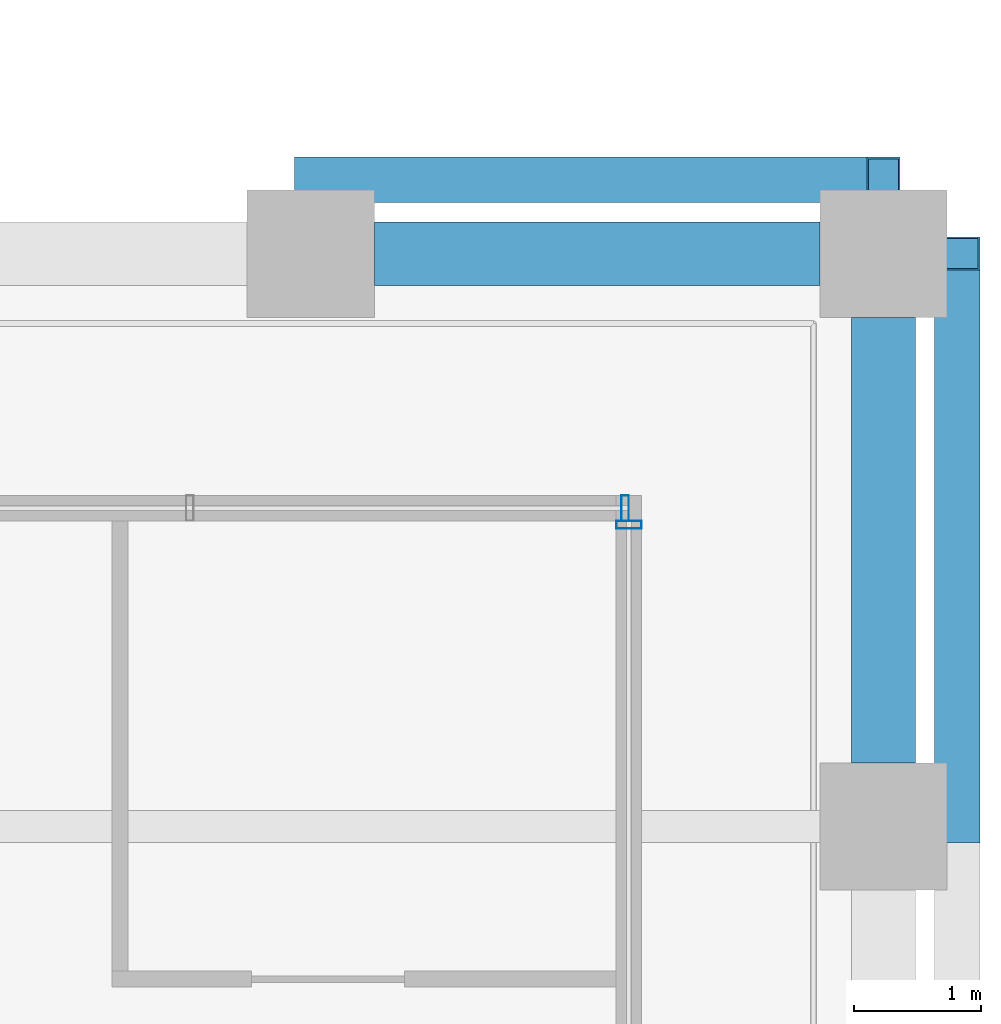
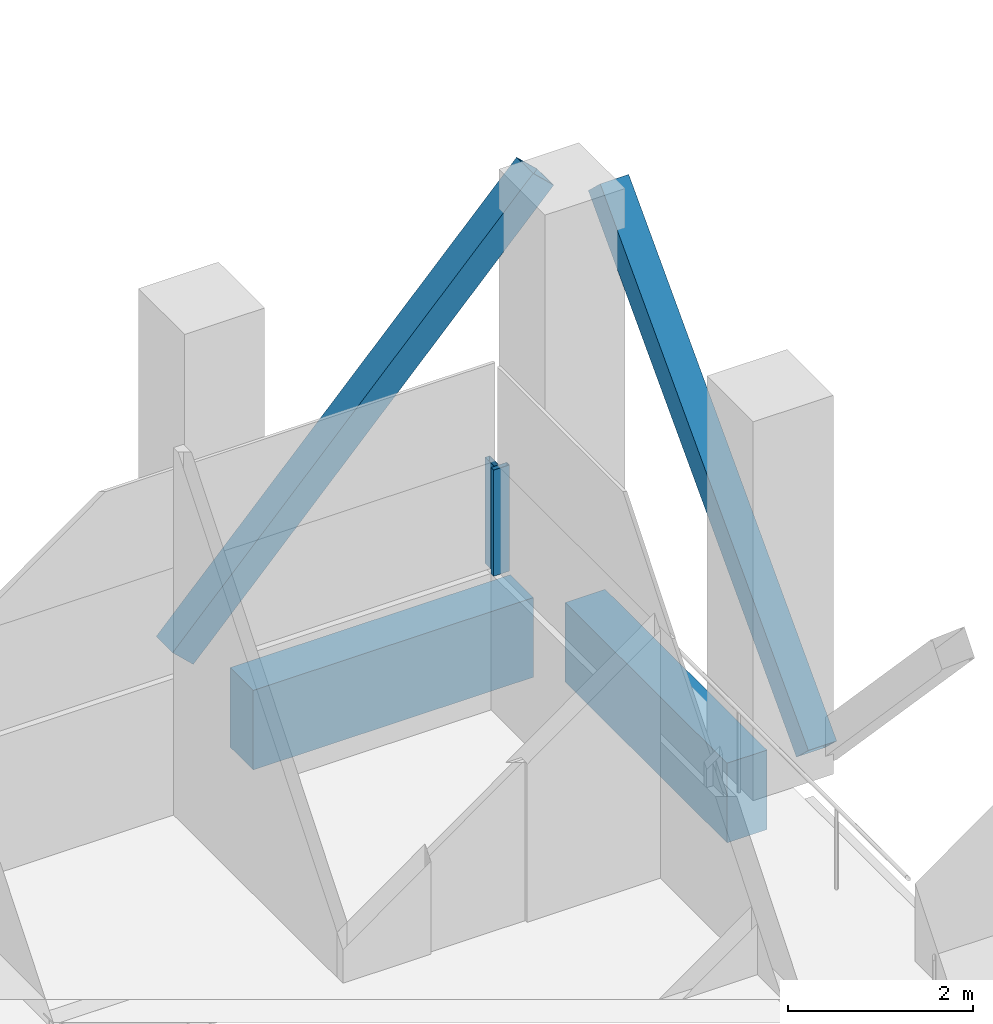
# One storey, part 29 of 48: 4 members, 2 beams, 2 elements without a shape of their own.
"""IFC4 building model written with IfcOpenShell, lengths in metres."""

from ifc_helpers import new_model, si_unit, direction, frame, origin, origin_2d, place, context, subcontext, project, spatial, rectangle, hollow_rectangle, extrude, material, material_profile, profile_set, type_object, element, aggregate, save


model = new_model("IFC4")

# Units and contexts
model_context = context("Model", 3, precision=1e-05, world=origin(), true_north=direction((0.0, 1.0)))
body_context = subcontext(model_context, "Body", "Model", "MODEL_VIEW")
ifc_project = project(units=[si_unit("LENGTHUNIT", "METRE"), si_unit("AREAUNIT", "SQUARE_METRE"), si_unit("VOLUMEUNIT", "CUBIC_METRE"), si_unit("PLANEANGLEUNIT", "RADIAN"), si_unit("MASSUNIT", "GRAM", prefix="KILO")], contexts=[model_context])

# Site, building, storey
site_placement = place(None, origin())
site = spatial("IfcSite", under=ifc_project, at=site_placement, CompositionType="ELEMENT")
building_placement = place(site_placement, origin())
building = spatial("IfcBuilding", under=site, at=building_placement, Name="Altepetl Exchange Towers", CompositionType="ELEMENT")
storey_placement = place(building_placement, frame((0.0, 0.0, 138.800048828125)))
storey = spatial("IfcBuildingStorey", under=building, at=storey_placement, Name="L34 Refuge and sky lobby", CompositionType="ELEMENT", Elevation=138.800048828125)

# Members
ifc_material_1 = material(Name="Steel S355", Category="steel")
ifc_material_profile_1 = material_profile(ifc_material_1, hollow_rectangle(XDim=0.35595703125, YDim=0.35595703125, WallThickness=0.014892578125, at=origin_2d()), Name="HSS356X356X15.9")
ifc_profile_set_1 = profile_set([ifc_material_profile_1], Name="Steel S355")
member_type_1 = type_object("IfcMemberType", Name="Belt diagonal HSS356X356X15.9", PredefinedType="BRACE", material=ifc_profile_set_1)
for number, where, z_axis, x_axis, name in (
    (1, (126.580078125, 45.0, 0.0), (0.0, 0.687744647911, 0.725952683906), (-1.0, 0.0, 0.0), "brc:B:L34:008"),
    (2, (126.0, 50.080078125, 4.75), (-0.687744647911, 0.0, -0.725952683906), (0.0, -1.0, 0.0), "brc:B:L34:009"),
):
    element("IfcMember", number, at=place(storey_placement, frame(where, z_axis=z_axis, x_axis=x_axis)), inside=storey, type_object=member_type_1, Name=name, PredefinedType="BRACE", context=body_context, shape_type="SweptSolid", body=[
        extrude(hollow_rectangle(XDim=0.35595703125, YDim=0.35595703125, WallThickness=0.014892578125, at=origin_2d()), origin(), (0.0, 0.0, 1.0), 6.543212890625),
    ])

# Curtain wall, member
ifc_material_2 = material(Name="Aluminium 6063-T6 glazing", Category="aluminium")
curtain_wall_type = type_object("IfcCurtainWallType", Name="Refuge slit glazing system", PredefinedType="NOTDEFINED", material=ifc_material_2)
curtain_wall_1_placement = place(storey_placement, origin())
curtain_wall_1 = element("IfcCurtainWall", 3, at=curtain_wall_1_placement, inside=storey, type_object=curtain_wall_type, Name="CW3 run", PredefinedType="NOTDEFINED")
ifc_material_3 = material(Name="Aluminium 6063-T6", Category="aluminium")
ifc_material_profile_2 = material_profile(ifc_material_3, hollow_rectangle(XDim=0.06005859375, YDim=0.199951171875, WallThickness=0.0029296875, at=origin_2d()), Name="Mullion 60x200 aluminium")
ifc_profile_set_2 = profile_set([ifc_material_profile_2], Name="Aluminium 6063-T6")
member_type_2 = type_object("IfcMemberType", Name="Mullion 60x200 aluminium", PredefinedType="MULLION", material=ifc_profile_set_2)
member_1_placement = place(storey_placement, frame((124.0, 47.3701171875, 1.800048828125), z_axis=(0.0, 0.0, 1.0), x_axis=(0.0, 1.0, 0.0)))
member_1 = element("IfcMember", 4, at=member_1_placement, type_object=member_type_2, Name="MU2 mullion", PredefinedType="MULLION", context=body_context, shape_type="SweptSolid", body=[
    extrude(hollow_rectangle(XDim=0.06005859375, YDim=0.199951171875, WallThickness=0.0029296875, at=origin_2d()), origin(), (0.0, 0.0, 1.0), 1.39990234375),
])
aggregate(curtain_wall_1, [member_1])

curtain_wall_2_placement = place(storey_placement, origin())
curtain_wall_2 = element("IfcCurtainWall", 5, at=curtain_wall_2_placement, inside=storey, type_object=curtain_wall_type, Name="CW3 run", PredefinedType="NOTDEFINED")
member_2_placement = place(storey_placement, frame((123.969970703125, 47.5, 1.800048828125), z_axis=(0.0, 0.0, 1.0), x_axis=(-1.0, 0.0, 0.0)))
member_2 = element("IfcMember", 6, at=member_2_placement, type_object=member_type_2, Name="MU2 mullion", PredefinedType="MULLION", context=body_context, shape_type="SweptSolid", body=[
    extrude(hollow_rectangle(XDim=0.06005859375, YDim=0.199951171875, WallThickness=0.0029296875, at=origin_2d()), origin(), (0.0, 0.0, 1.0), 1.39990234375),
])
aggregate(curtain_wall_2, [member_2])

# Beams
ifc_material_4 = material(Name="Concrete C50/60 precast with cantera amarilla facing", Category="concrete")
ifc_material_profile_3 = material_profile(ifc_material_4, rectangle(XDim=0.5, YDim=1.050048828125, at=origin_2d()), Name="500 x 1050")
ifc_profile_set_3 = profile_set([ifc_material_profile_3], Name="Concrete C50/60 precast with cantera amarilla facing")
beam_type_1 = type_object("IfcBeamType", Name="Spandrel beam 500x1050 cantera amarilla", PredefinedType="SPANDREL", material=ifc_profile_set_3)
beam_1_placement = place(storey_placement, frame((125.5, 49.5, -0.72509765625), z_axis=(-1.0, 0.0, 0.0), x_axis=(0.0, -1.0, 0.0)))
element("IfcBeam", 7, at=beam_1_placement, inside=storey, type_object=beam_type_1, Name="sp:B:L34:013", PredefinedType="SPANDREL", context=body_context, shape_type="SweptSolid", body=[
    extrude(rectangle(XDim=0.5, YDim=1.050048828125, at=origin_2d()), origin(), (0.0, 0.0, 1.0), 3.5),
])
ifc_material_5 = material(Name="Concrete C50/60 precast with cantera blanca facing", Category="concrete")
ifc_material_profile_4 = material_profile(ifc_material_5, rectangle(XDim=0.5, YDim=1.050048828125, at=origin_2d()), Name="500 x 1050")
ifc_profile_set_4 = profile_set([ifc_material_profile_4], Name="Concrete C50/60 precast with cantera blanca facing")
beam_type_2 = type_object("IfcBeamType", Name="Spandrel beam 500x1050 cantera blanca", PredefinedType="SPANDREL", material=ifc_profile_set_4)
beam_2_placement = place(storey_placement, frame((126.0, 45.5, -0.72509765625), z_axis=(0.0, 1.0, 0.0), x_axis=(-1.0, 0.0, 0.0)))
element("IfcBeam", 8, at=beam_2_placement, inside=storey, type_object=beam_type_2, Name="sp:B:L34:012", PredefinedType="SPANDREL", context=body_context, shape_type="SweptSolid", body=[
    extrude(rectangle(XDim=0.5, YDim=1.050048828125, at=origin_2d()), origin(), (0.0, 0.0, 1.0), 3.5),
])

save(model, "model.ifc")
